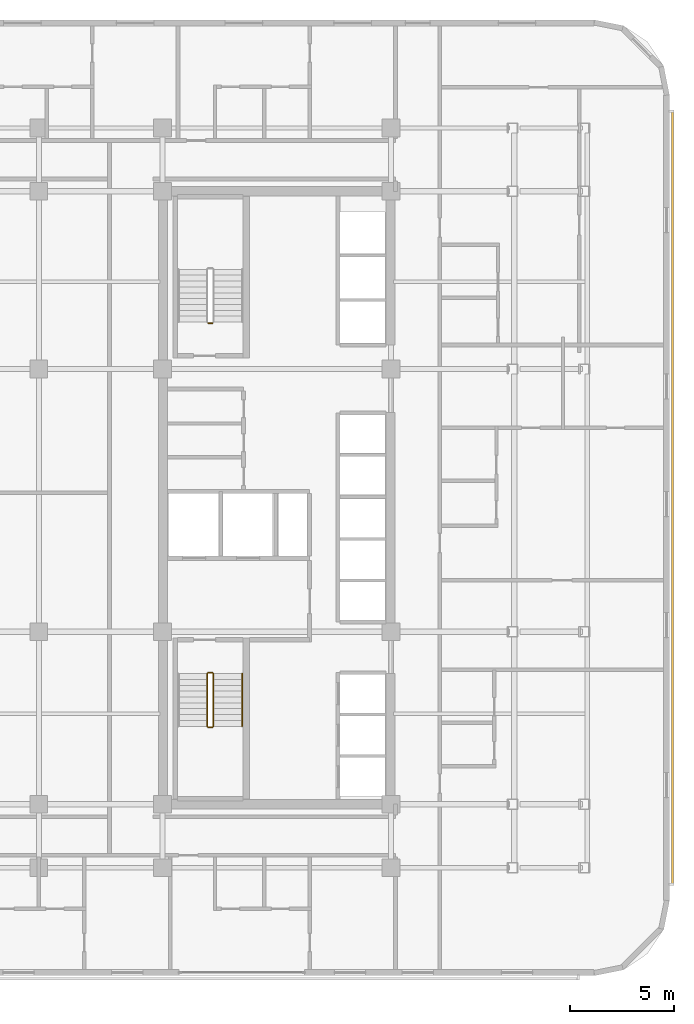
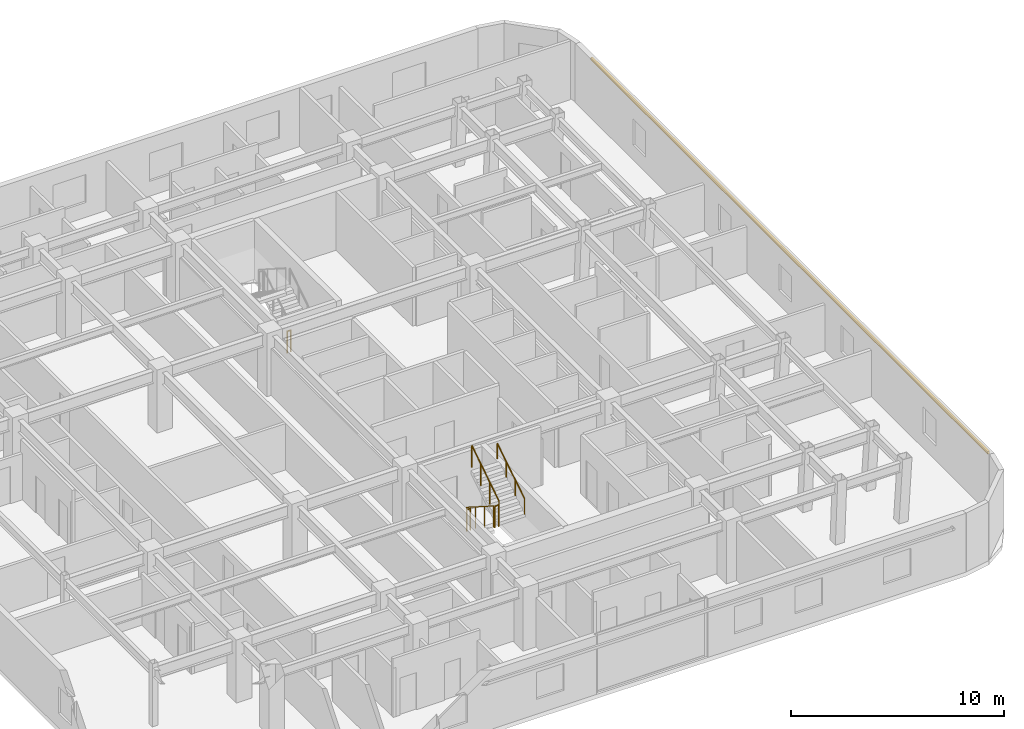
# One storey, part 14 of 15: 6 railings, 1 shading device.
"""IFC4 building model written with IfcOpenShell, lengths in metres."""

from ifc_helpers import new_model, si_unit, direction, frame, origin, origin_2d, place, context, subcontext, project, spatial, rectangle, circle, extrude, material, material_profile, profile_set, type_object, element, save


model = new_model("IFC4")

# Units and contexts
model_context = context("Model", 3, precision=1e-05, world=origin(), true_north=direction((0.0, 1.0)))
body_context = subcontext(model_context, "Body", "Model", "MODEL_VIEW")
ifc_project = project(units=[si_unit("LENGTHUNIT", "METRE"), si_unit("AREAUNIT", "SQUARE_METRE"), si_unit("VOLUMEUNIT", "CUBIC_METRE"), si_unit("PLANEANGLEUNIT", "RADIAN"), si_unit("MASSUNIT", "GRAM", prefix="KILO")], contexts=[model_context])

# Site, building, storey
site_placement = place(None, origin())
site = spatial("IfcSite", under=ifc_project, at=site_placement, CompositionType="ELEMENT")
building_placement = place(site_placement, origin())
building = spatial("IfcBuilding", under=site, at=building_placement, Name="Ochreholt Gables", CompositionType="ELEMENT")
storey_placement = place(building_placement, frame((0.0, 0.0, 31.199951171875)))
storey = spatial("IfcBuildingStorey", under=building, at=storey_placement, Name="L07", CompositionType="ELEMENT", Elevation=31.199951171875)

# Railings
ifc_material_1 = material(Name="Painted Steel Stair Guardrail", Category="steel")
railing_type_1 = type_object("IfcRailingType", Name="RL-ST-GUARD", PredefinedType="GUARDRAIL", material=ifc_material_1)
railing_1_placement = place(storey_placement, frame((26.35009765625, 15.5400390625, 0.179931640625)))
element("IfcRailing", 1, at=railing_1_placement, inside=storey, type_object=railing_type_1, Name="L07 ST-1 stair guard 1", PredefinedType="GUARDRAIL", context=body_context, shape_type="SweptSolid", body=[
    extrude(circle(Radius=0.02392578125, at=origin_2d()), frame((0.0, 0.0, 1.22607421875), z_axis=(0.0, -0.842912820907, 0.538050161556), x_axis=(1.0, 0.0, 0.0)), (0.0, 0.0, 1.0), 3.010986328125),
    extrude(circle(Radius=0.02099609375, at=origin_2d()), origin(), (0.0, 0.0, 1.0), 1.201904296875),
    extrude(circle(Radius=0.02099609375, at=origin_2d()), frame((0.0, -0.845947265625, 0.5400390625)), (0.0, 0.0, 1.0), 1.201904296875),
    extrude(circle(Radius=0.02099609375, at=origin_2d()), frame((0.0, -1.692138671875, 1.080078125)), (0.0, 0.0, 1.0), 1.201904296875),
    extrude(circle(Radius=0.02099609375, at=origin_2d()), frame((0.0, -2.5380859375, 1.6201171875)), (0.0, 0.0, 1.0), 1.201904296875),
])
railing_2_placement = place(storey_placement, frame((26.39990234375, 12.951904296875, 1.800048828125)))
element("IfcRailing", 2, at=railing_2_placement, inside=storey, type_object=railing_type_1, Name="L07 ST-1 stair guard 2", PredefinedType="GUARDRAIL", context=body_context, shape_type="SweptSolid", body=[
    extrude(circle(Radius=0.02392578125, at=origin_2d()), frame((0.0, 0.0, 1.22607421875), z_axis=(1.0, 0.0, 0.0), x_axis=(0.0, 1.0, 0.0)), (0.0, 0.0, 1.0), 0.2001953125),
    extrude(circle(Radius=0.02099609375, at=origin_2d()), origin(), (0.0, 0.0, 1.0), 1.201904296875),
    extrude(circle(Radius=0.02099609375, at=origin_2d()), frame((0.2001953125, 0.0, 0.0)), (0.0, 0.0, 1.0), 1.201904296875),
])
railing_3_placement = place(storey_placement, frame((26.64990234375, 13.001953125, 1.97998046875)))
element("IfcRailing", 3, at=railing_3_placement, inside=storey, type_object=railing_type_1, Name="L07 ST-1 stair guard 3", PredefinedType="GUARDRAIL", context=body_context, shape_type="SweptSolid", body=[
    extrude(circle(Radius=0.02392578125, at=origin_2d()), frame((0.0, 0.0, 1.22607421875), z_axis=(0.0, 0.842912820907, 0.538050161556), x_axis=(-1.0, 0.0, 0.0)), (0.0, 0.0, 1.0), 3.010986328125),
    extrude(circle(Radius=0.02099609375, at=origin_2d()), origin(), (0.0, 0.0, 1.0), 1.201904296875),
    extrude(circle(Radius=0.02099609375, at=origin_2d()), frame((0.0, 0.845947265625, 0.5400390625)), (0.0, 0.0, 1.0), 1.201904296875),
    extrude(circle(Radius=0.02099609375, at=origin_2d()), frame((0.0, 1.692138671875, 1.080078125)), (0.0, 0.0, 1.0), 1.201904296875),
    extrude(circle(Radius=0.02099609375, at=origin_2d()), frame((0.0, 2.5380859375, 1.6201171875)), (0.0, 0.0, 1.0), 1.201904296875),
])
railing_4_placement = place(storey_placement, frame((26.39990234375, 15.590087890625, 0.0)))
element("IfcRailing", 4, at=railing_4_placement, inside=storey, type_object=railing_type_1, Name="L07 ST-1 stair guard 4", PredefinedType="GUARDRAIL", context=body_context, shape_type="SweptSolid", body=[
    extrude(circle(Radius=0.02392578125, at=origin_2d()), frame((0.0, 0.0, 1.22607421875), z_axis=(1.0, 0.0, 0.0), x_axis=(0.0, 1.0, 0.0)), (0.0, 0.0, 1.0), 0.2001953125),
    extrude(circle(Radius=0.02099609375, at=origin_2d()), origin(), (0.0, 0.0, 1.0), 1.201904296875),
    extrude(circle(Radius=0.02099609375, at=origin_2d()), frame((0.2001953125, 0.0, 0.0)), (0.0, 0.0, 1.0), 1.201904296875),
])
railing_5_placement = place(storey_placement, frame((26.60009765625, 32.409912109375, 0.0)))
element("IfcRailing", 5, at=railing_5_placement, inside=storey, type_object=railing_type_1, Name="L07 ST-2 stair guard 4", PredefinedType="GUARDRAIL", context=body_context, shape_type="SweptSolid", body=[
    extrude(circle(Radius=0.02392578125, at=origin_2d()), frame((0.0, 0.0, 1.22607421875), z_axis=(-1.0, 0.0, 0.0), x_axis=(0.0, -1.0, 0.0)), (0.0, 0.0, 1.0), 0.2001953125),
    extrude(circle(Radius=0.02099609375, at=origin_2d()), origin(), (0.0, 0.0, 1.0), 1.201904296875),
    extrude(circle(Radius=0.02099609375, at=origin_2d()), frame((-0.2001953125, 0.0, 0.0)), (0.0, 0.0, 1.0), 1.201904296875),
])
ifc_material_2 = material(Name="Brushed Stainless Steel Wall Handrail", Category="steel")
railing_type_2 = type_object("IfcRailingType", Name="RL-ST-HAND", PredefinedType="HANDRAIL", material=ifc_material_2)
railing_6_placement = place(storey_placement, frame((28.030029296875, 13.001953125, 1.97998046875)))
element("IfcRailing", 6, at=railing_6_placement, inside=storey, type_object=railing_type_2, Name="L07 ST-1 stair handrail 2", PredefinedType="HANDRAIL", context=body_context, shape_type="SweptSolid", body=[
    extrude(circle(Radius=0.02392578125, at=origin_2d()), frame((0.0, 0.0, 0.8759765625), z_axis=(0.0, 0.842912820907, 0.538050161556), x_axis=(-1.0, 0.0, 0.0)), (0.0, 0.0, 1.0), 3.010986328125),
    extrude(circle(Radius=0.02099609375, at=origin_2d()), origin(), (0.0, 0.0, 1.0), 0.851806640625),
    extrude(circle(Radius=0.02099609375, at=origin_2d()), frame((0.0, 0.845947265625, 0.5400390625)), (0.0, 0.0, 1.0), 0.851806640625),
    extrude(circle(Radius=0.02099609375, at=origin_2d()), frame((0.0, 1.692138671875, 1.080078125)), (0.0, 0.0, 1.0), 0.851806640625),
    extrude(circle(Radius=0.02099609375, at=origin_2d()), frame((0.0, 2.5380859375, 1.6201171875)), (0.0, 0.0, 1.0), 0.851806640625),
])

# Shading device
ifc_material_3 = material(Name="Warm Ochre Glazed Terracotta Baguette", Category="masonry")
ifc_material_profile = material_profile(ifc_material_3, rectangle(XDim=0.110107421875, YDim=0.14990234375, at=origin_2d()), Name="TCBAG110X150")
ifc_profile_set = profile_set([ifc_material_profile], Name="Warm Ochre Glazed Terracotta Baguette")
shading_device_type = type_object("IfcShadingDeviceType", Name="SHD-BAGUETTE", PredefinedType="USERDEFINED", material=ifc_profile_set)
shading_device_placement = place(storey_placement, frame((48.75, 5.39990234375, 2.840087890625), z_axis=(0.0, 1.0, 0.0), x_axis=(-1.0, 0.0, 0.0)))
element("IfcShadingDevice", 7, at=shading_device_placement, inside=storey, type_object=shading_device_type, Name="L07 Terracotta Baguette Screen E-1", ObjectType="BAGUETTE", PredefinedType="USERDEFINED", context=body_context, shape_type="SweptSolid", body=[
    extrude(rectangle(XDim=0.110107421875, YDim=0.14990234375, at=origin_2d()), origin(), (0.0, 0.0, 1.0), 37.2001953125),
])

save(model, "model.ifc")
